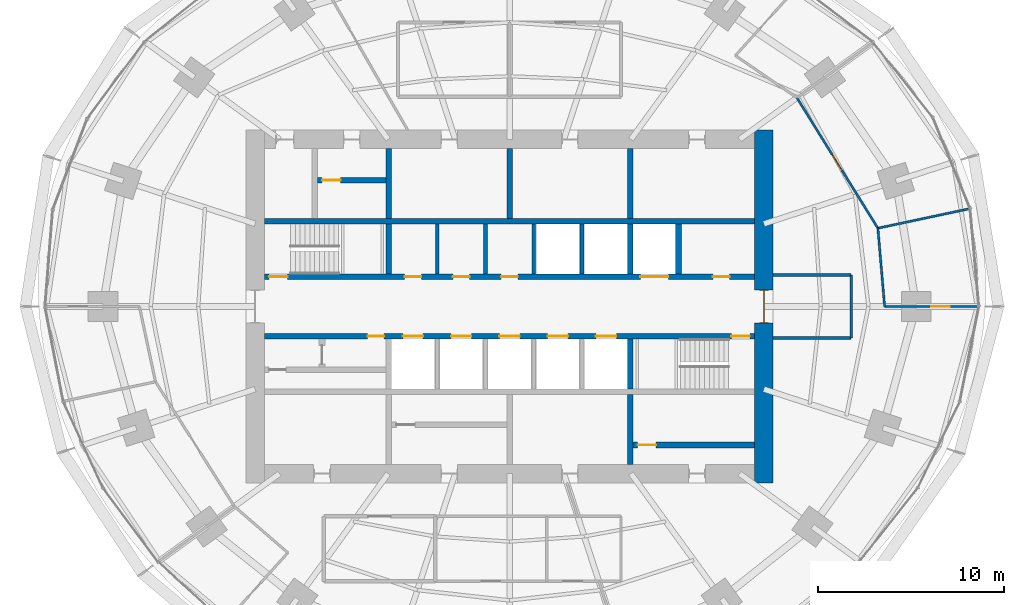
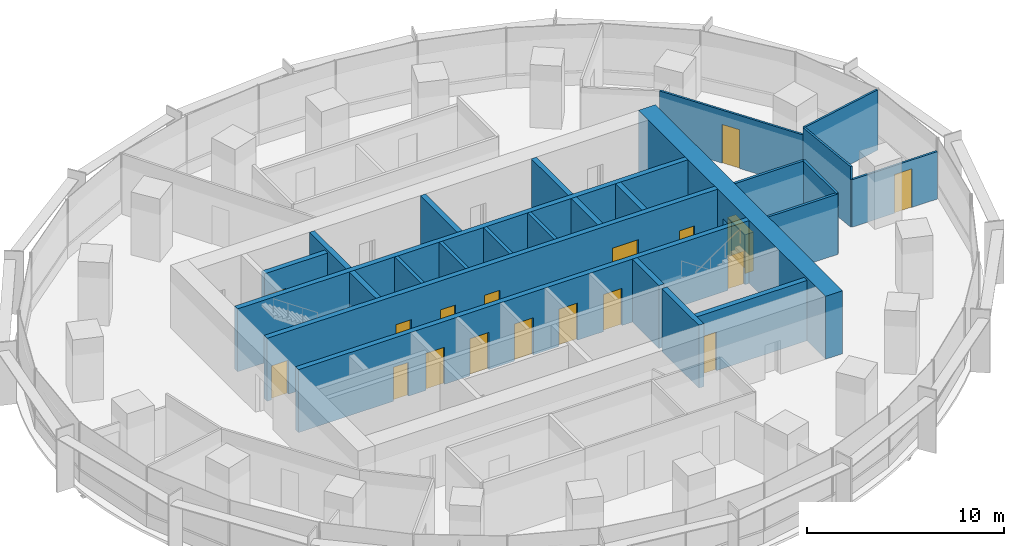
# One storey, part 11 of 14: 25 walls, 18 doors, 18 openings.
"""IFC4 building model written with IfcOpenShell, lengths in metres."""

from ifc_helpers import new_model, si_unit, direction, frame, frame_2d, origin, place, context, subcontext, project, spatial, rectangle, extrude, material, layer, layer_set, type_object, element, fill, save


model = new_model("IFC4")

# Units and contexts
model_context = context("Model", 3, precision=1e-05, world=origin(), true_north=direction((0.0, 1.0)))
body_context = subcontext(model_context, "Body", "Model", "MODEL_VIEW")
ifc_project = project(units=[si_unit("LENGTHUNIT", "METRE"), si_unit("AREAUNIT", "SQUARE_METRE"), si_unit("VOLUMEUNIT", "CUBIC_METRE"), si_unit("PLANEANGLEUNIT", "RADIAN"), si_unit("MASSUNIT", "GRAM", prefix="KILO")], contexts=[model_context])

# Site, building, storey
site_placement = place(None, origin())
site = spatial("IfcSite", under=ifc_project, at=site_placement, CompositionType="ELEMENT")
building_placement = place(site_placement, origin())
building = spatial("IfcBuilding", under=site, at=building_placement, Name="Marramba Exchange Tower", CompositionType="ELEMENT")
storey_placement = place(building_placement, frame((0.0, 0.0, 104.10009765625)))
storey = spatial("IfcBuildingStorey", under=building, at=storey_placement, Name="L24", CompositionType="ELEMENT", Elevation=104.10009765625)

# Walls
ifc_material_1 = material(Name="Concrete N50", Category="concrete")
ifc_layer_1 = layer(ifc_material_1, 0.199951171875)
ifc_layer_set_1 = layer_set([ifc_layer_1], Name="Core shaft wall 200")
wall_type_1 = type_object("IfcWallType", Name="Core shaft wall 200", PredefinedType="SHEAR", material=ifc_layer_set_1)
for number, where, z_axis, x_axis, name in (
    (1, (-3.89990234375, 1.75, 0.0), (0.0, 0.0, 1.0), (0.0, 1.0, 0.0), "Core wall SHN1 L24"),
    (2, (-1.300048828125, 1.75, 0.0), (0.0, 0.0, 1.0), (0.0, 1.0, 0.0), "Core wall SHN2 L24"),
    (3, (1.300048828125, 1.75, 0.0), (0.0, 0.0, 1.0), (0.0, 1.0, 0.0), "Core wall SHN3 L24"),
    (4, (3.89990234375, 1.75, 0.0), (0.0, 0.0, 1.0), (0.0, 1.0, 0.0), "Core wall SHN4 L24"),
):
    element("IfcWall", number, at=place(storey_placement, frame(where, z_axis=z_axis, x_axis=x_axis)), inside=storey, type_object=wall_type_1, Name=name, PredefinedType="SHEAR", context=body_context, shape_type="SweptSolid", body=[
        extrude(rectangle(XDim=2.699951171875, YDim=0.199951171875, at=frame_2d((1.35009765625, 0.0))), origin(), (0.0, 0.0, 1.0), 3.89990234375),
    ])

# Wall, opening, door
ifc_layer_2 = layer(ifc_material_1, 1.0)
ifc_layer_set_2 = layer_set([ifc_layer_2], Name="Core wall 1000")
wall_type_2 = type_object("IfcWallType", Name="Core wall 1000", PredefinedType="SHEAR", material=ifc_layer_set_2)
wall_1_placement = place(storey_placement, frame((13.699951171875, -9.5, 0.0), z_axis=(0.0, 0.0, 1.0), x_axis=(0.0, 1.0, 0.0)))
wall_1 = element("IfcWall", 5, at=wall_1_placement, inside=storey, type_object=wall_type_2, Name="Core wall E L24", PredefinedType="SHEAR", context=body_context, shape_type="SweptSolid", body=[
    extrude(rectangle(XDim=19.0, YDim=1.0, at=frame_2d((9.5, 0.0))), origin(), (0.0, 0.0, 1.0), 3.89990234375),
])
opening_1_placement = place(wall_1_placement, frame((8.60009765625, 0.0, 0.0)))
opening_1 = element("IfcOpeningElement", 6, at=opening_1_placement, cuts=wall_1, Name="Opening D1", PredefinedType="OPENING", context=body_context, shape_type="SweptSolid", body=[
    extrude(rectangle(XDim=1.800048828125, YDim=2.39990234375, at=frame_2d((0.89990234375, 1.199951171875))), frame((0.0, 0.510009765625, 0.0), z_axis=(0.0, -1.0, 0.0), x_axis=(1.0, 0.0, 0.0)), (0.0, 0.0, 1.0), 1.02001953125),
])
ifc_material_2 = material(Name="Steel-framed door", Category="steel")
door_type_1 = type_object("IfcDoorType", Name="Lobby exit door 1800x2400", OperationType="DOUBLE_DOOR_SINGLE_SWING", PredefinedType="DOOR", material=ifc_material_2)
door_1_placement = place(opening_1_placement, frame((1.800048828125, 0.0, 0.0), z_axis=(0.0, 0.0, 1.0), x_axis=(-1.0, 0.0, 0.0)))
door_1 = element("IfcDoor", 7, at=door_1_placement, inside=storey, type_object=door_type_1, Name="D1 lobby exit east L24", OperationType="DOUBLE_DOOR_SINGLE_SWING", OverallHeight=2.39990234375, OverallWidth=1.800048828125, PredefinedType="DOOR", context=body_context, shape_type="SweptSolid", body=[
    extrude(rectangle(XDim=1.719970703125, YDim=2.35986328125, at=frame_2d((0.900146484375, 1.179931640625))), frame((0.0, 0.025146484375, 0.0), z_axis=(0.0, -1.0, 0.0), x_axis=(1.0, 0.0, 0.0)), (0.0, 0.0, 1.0), 0.050048828125),
    extrude(rectangle(XDim=0.04, YDim=2.39990234375, at=frame_2d((1.780029296875, 1.199951171875))), frame((0.0, 0.25, 0.0), z_axis=(0.0, -1.0, 0.0), x_axis=(1.0, 0.0, 0.0)), (0.0, 0.0, 1.0), 0.5),
    extrude(rectangle(XDim=0.04, YDim=2.39990234375, at=frame_2d((0.02001953125, 1.199951171875))), frame((0.0, 0.25, 0.0), z_axis=(0.0, -1.0, 0.0), x_axis=(1.0, 0.0, 0.0)), (0.0, 0.0, 1.0), 0.5),
    extrude(rectangle(XDim=1.719970703125, YDim=0.04, at=frame_2d((0.900146484375, 2.3798828125))), frame((0.0, 0.25, 0.0), z_axis=(0.0, -1.0, 0.0), x_axis=(1.0, 0.0, 0.0)), (0.0, 0.0, 1.0), 0.5),
])
fill(opening_1, door_1)

# Wall, openings, doors
ifc_layer_3 = layer(ifc_material_1, 0.300048828125)
ifc_layer_set_3 = layer_set([ifc_layer_3], Name="Core wall 300")
wall_type_3 = type_object("IfcWallType", Name="Core wall 300", PredefinedType="SHEAR", material=ifc_layer_set_3)
wall_2_placement = place(storey_placement, frame((-13.199951171875, 1.60009765625, 0.0), z_axis=(0.0, 0.0, 1.0), x_axis=(1.0, 0.0, 0.0)))
wall_2 = element("IfcWall", 8, at=wall_2_placement, inside=storey, type_object=wall_type_3, Name="Core wall LN L24", PredefinedType="SHEAR", context=body_context, shape_type="SweptSolid", body=[
    extrude(rectangle(XDim=26.39990234375, YDim=0.300048828125, at=frame_2d((13.199951171875, 0.0))), origin(), (0.0, 0.0, 1.0), 3.89990234375),
])
opening_2_placement = place(wall_2_placement, frame((0.25, 0.0, 0.0)))
opening_2 = element("IfcOpeningElement", 9, at=opening_2_placement, cuts=wall_2, Name="Opening D2", PredefinedType="OPENING", context=body_context, shape_type="SweptSolid", body=[
    extrude(rectangle(XDim=1.0, YDim=2.10009765625, at=frame_2d((0.5, 1.050048828125))), frame((0.0, 0.159912109375, 0.0), z_axis=(0.0, -1.0, 0.0), x_axis=(1.0, 0.0, 0.0)), (0.0, 0.0, 1.0), 0.320068359375),
])
opening_3_placement = place(wall_2_placement, frame((20.25, 0.0, 0.0)))
opening_3 = element("IfcOpeningElement", 10, at=opening_3_placement, cuts=wall_2, Name="Opening LD3", PredefinedType="OPENING", context=body_context, shape_type="SweptSolid", body=[
    extrude(rectangle(XDim=1.5, YDim=2.39990234375, at=frame_2d((0.75, 1.199951171875))), frame((0.0, 0.159912109375, 0.0), z_axis=(0.0, -1.0, 0.0), x_axis=(1.0, 0.0, 0.0)), (0.0, 0.0, 1.0), 0.320068359375),
])
opening_4_placement = place(wall_2_placement, frame((7.550048828125, 0.0, 0.0)))
opening_4 = element("IfcOpeningElement", 11, at=opening_4_placement, cuts=wall_2, Name="Opening D5", PredefinedType="OPENING", context=body_context, shape_type="SweptSolid", body=[
    extrude(rectangle(XDim=0.89990234375, YDim=2.10009765625, at=frame_2d((0.449951171875, 1.050048828125))), frame((0.0, 0.159912109375, 0.0), z_axis=(0.0, -1.0, 0.0), x_axis=(1.0, 0.0, 0.0)), (0.0, 0.0, 1.0), 0.320068359375),
])
opening_5_placement = place(wall_2_placement, frame((10.14990234375, 0.0, 0.0)))
opening_5 = element("IfcOpeningElement", 12, at=opening_5_placement, cuts=wall_2, Name="Opening D5", PredefinedType="OPENING", context=body_context, shape_type="SweptSolid", body=[
    extrude(rectangle(XDim=0.89990234375, YDim=2.10009765625, at=frame_2d((0.449951171875, 1.050048828125))), frame((0.0, 0.159912109375, 0.0), z_axis=(0.0, -1.0, 0.0), x_axis=(1.0, 0.0, 0.0)), (0.0, 0.0, 1.0), 0.320068359375),
])
opening_6_placement = place(wall_2_placement, frame((12.75, 0.0, 0.0)))
opening_6 = element("IfcOpeningElement", 13, at=opening_6_placement, cuts=wall_2, Name="Opening D5", PredefinedType="OPENING", context=body_context, shape_type="SweptSolid", body=[
    extrude(rectangle(XDim=0.89990234375, YDim=2.10009765625, at=frame_2d((0.449951171875, 1.050048828125))), frame((0.0, 0.159912109375, 0.0), z_axis=(0.0, -1.0, 0.0), x_axis=(1.0, 0.0, 0.0)), (0.0, 0.0, 1.0), 0.320068359375),
])
opening_7_placement = place(wall_2_placement, frame((24.14990234375, 0.0, 0.0)))
opening_7 = element("IfcOpeningElement", 14, at=opening_7_placement, cuts=wall_2, Name="Opening D5", PredefinedType="OPENING", context=body_context, shape_type="SweptSolid", body=[
    extrude(rectangle(XDim=0.89990234375, YDim=2.10009765625, at=frame_2d((0.449951171875, 1.050048828125))), frame((0.0, 0.159912109375, 0.0), z_axis=(0.0, -1.0, 0.0), x_axis=(1.0, 0.0, 0.0)), (0.0, 0.0, 1.0), 0.320068359375),
])
door_type_2 = type_object("IfcDoorType", Name="Goods lift landing door 1500x2400", OperationType="SLIDING_TO_LEFT", PredefinedType="DOOR", material=ifc_material_2)
door_2_placement = place(opening_3_placement, origin())
door_2 = element("IfcDoor", 15, at=door_2_placement, inside=storey, type_object=door_type_2, Name="GL1 landing door L24", OperationType="SLIDING_TO_LEFT", OverallHeight=2.39990234375, OverallWidth=1.5, PredefinedType="DOOR", context=body_context, shape_type="SweptSolid", body=[
    extrude(rectangle(XDim=1.5, YDim=2.39990234375, at=frame_2d((0.75, 1.199951171875))), frame((0.0, 0.02490234375, 0.0), z_axis=(0.0, -1.0, 0.0), x_axis=(1.0, 0.0, 0.0)), (0.0, 0.0, 1.0), 0.050048828125),
])
fill(opening_3, door_2)
door_type_3 = type_object("IfcDoorType", Name="Service door 900x2100", OperationType="SINGLE_SWING_LEFT", PredefinedType="DOOR", material=ifc_material_2)
door_3_placement = place(opening_4_placement, origin())
door_3 = element("IfcDoor", 16, at=door_3_placement, inside=storey, type_object=door_type_3, Name="D5 parcel room L24", OperationType="SINGLE_SWING_RIGHT", OverallHeight=2.10009765625, OverallWidth=0.89990234375, PredefinedType="DOOR", context=body_context, shape_type="SweptSolid", body=[
    extrude(rectangle(XDim=0.89990234375, YDim=2.10009765625, at=frame_2d((0.449951171875, 1.050048828125))), frame((0.0, 0.02490234375, 0.0), z_axis=(0.0, -1.0, 0.0), x_axis=(1.0, 0.0, 0.0)), (0.0, 0.0, 1.0), 0.050048828125),
])
fill(opening_4, door_3)
door_4_placement = place(opening_5_placement, origin())
door_4 = element("IfcDoor", 17, at=door_4_placement, inside=storey, type_object=door_type_3, Name="D5 stationery store L24", OperationType="SINGLE_SWING_RIGHT", OverallHeight=2.10009765625, OverallWidth=0.89990234375, PredefinedType="DOOR", context=body_context, shape_type="SweptSolid", body=[
    extrude(rectangle(XDim=0.89990234375, YDim=2.10009765625, at=frame_2d((0.449951171875, 1.050048828125))), frame((0.0, 0.02490234375, 0.0), z_axis=(0.0, -1.0, 0.0), x_axis=(1.0, 0.0, 0.0)), (0.0, 0.0, 1.0), 0.050048828125),
])
fill(opening_5, door_4)
door_5_placement = place(opening_6_placement, origin())
door_5 = element("IfcDoor", 18, at=door_5_placement, inside=storey, type_object=door_type_3, Name="D5 switch room L24", OperationType="SINGLE_SWING_RIGHT", OverallHeight=2.10009765625, OverallWidth=0.89990234375, PredefinedType="DOOR", context=body_context, shape_type="SweptSolid", body=[
    extrude(rectangle(XDim=0.89990234375, YDim=2.10009765625, at=frame_2d((0.449951171875, 1.050048828125))), frame((0.0, 0.02490234375, 0.0), z_axis=(0.0, -1.0, 0.0), x_axis=(1.0, 0.0, 0.0)), (0.0, 0.0, 1.0), 0.050048828125),
])
fill(opening_6, door_5)
door_6_placement = place(opening_7_placement, origin())
door_6 = element("IfcDoor", 19, at=door_6_placement, inside=storey, type_object=door_type_3, Name="D5 riser L24", OperationType="SINGLE_SWING_RIGHT", OverallHeight=2.10009765625, OverallWidth=0.89990234375, PredefinedType="DOOR", context=body_context, shape_type="SweptSolid", body=[
    extrude(rectangle(XDim=0.89990234375, YDim=2.10009765625, at=frame_2d((0.449951171875, 1.050048828125))), frame((0.0, 0.02490234375, 0.0), z_axis=(0.0, -1.0, 0.0), x_axis=(1.0, 0.0, 0.0)), (0.0, 0.0, 1.0), 0.050048828125),
])
fill(opening_7, door_6)
door_type_4 = type_object("IfcDoorType", Name="Stair door 1000x2100", OperationType="SINGLE_SWING_LEFT", PredefinedType="DOOR", material=ifc_material_2)
door_7_placement = place(opening_2_placement, origin())
door_7 = element("IfcDoor", 20, at=door_7_placement, inside=storey, type_object=door_type_4, Name="D2 stair ST1 L24", OperationType="SINGLE_SWING_LEFT", OverallHeight=2.10009765625, OverallWidth=1.0, PredefinedType="DOOR", context=body_context, shape_type="SweptSolid", body=[
    extrude(rectangle(XDim=1.0, YDim=2.10009765625, at=frame_2d((0.5, 1.050048828125))), frame((0.0, 0.02490234375, 0.0), z_axis=(0.0, -1.0, 0.0), x_axis=(1.0, 0.0, 0.0)), (0.0, 0.0, 1.0), 0.050048828125),
])
fill(opening_2, door_7)

wall_3_placement = place(storey_placement, frame((-13.199951171875, -1.60009765625, 0.0), z_axis=(0.0, 0.0, 1.0), x_axis=(1.0, 0.0, 0.0)))
wall_3 = element("IfcWall", 21, at=wall_3_placement, inside=storey, type_object=wall_type_3, Name="Core wall LS L24", PredefinedType="SHEAR", context=body_context, shape_type="SweptSolid", body=[
    extrude(rectangle(XDim=26.39990234375, YDim=0.300048828125, at=frame_2d((13.199951171875, 0.0))), origin(), (0.0, 0.0, 1.0), 3.89990234375),
])
opening_8_placement = place(wall_3_placement, frame((25.14990234375, 0.0, 0.0)))
opening_8 = element("IfcOpeningElement", 22, at=opening_8_placement, cuts=wall_3, Name="Opening D2", PredefinedType="OPENING", context=body_context, shape_type="SweptSolid", body=[
    extrude(rectangle(XDim=1.0, YDim=2.10009765625, at=frame_2d((0.5, 1.050048828125))), frame((0.0, 0.159912109375, 0.0), z_axis=(0.0, -1.0, 0.0), x_axis=(1.0, 0.0, 0.0)), (0.0, 0.0, 1.0), 0.320068359375),
])
opening_9_placement = place(wall_3_placement, frame((7.449951171875, 0.0, 0.0)))
opening_9 = element("IfcOpeningElement", 23, at=opening_9_placement, cuts=wall_3, Name="Opening LD1", PredefinedType="OPENING", context=body_context, shape_type="SweptSolid", body=[
    extrude(rectangle(XDim=1.10009765625, YDim=2.300048828125, at=frame_2d((0.550048828125, 1.14990234375))), frame((0.0, 0.159912109375, 0.0), z_axis=(0.0, -1.0, 0.0), x_axis=(1.0, 0.0, 0.0)), (0.0, 0.0, 1.0), 0.320068359375),
])
opening_10_placement = place(wall_3_placement, frame((10.050048828125, 0.0, 0.0)))
opening_10 = element("IfcOpeningElement", 24, at=opening_10_placement, cuts=wall_3, Name="Opening LD1", PredefinedType="OPENING", context=body_context, shape_type="SweptSolid", body=[
    extrude(rectangle(XDim=1.10009765625, YDim=2.300048828125, at=frame_2d((0.550048828125, 1.14990234375))), frame((0.0, 0.159912109375, 0.0), z_axis=(0.0, -1.0, 0.0), x_axis=(1.0, 0.0, 0.0)), (0.0, 0.0, 1.0), 0.320068359375),
])
opening_11_placement = place(wall_3_placement, frame((12.64990234375, 0.0, 0.0)))
opening_11 = element("IfcOpeningElement", 25, at=opening_11_placement, cuts=wall_3, Name="Opening LD1", PredefinedType="OPENING", context=body_context, shape_type="SweptSolid", body=[
    extrude(rectangle(XDim=1.10009765625, YDim=2.300048828125, at=frame_2d((0.550048828125, 1.14990234375))), frame((0.0, 0.159912109375, 0.0), z_axis=(0.0, -1.0, 0.0), x_axis=(1.0, 0.0, 0.0)), (0.0, 0.0, 1.0), 0.320068359375),
])
opening_12_placement = place(wall_3_placement, frame((15.25, 0.0, 0.0)))
opening_12 = element("IfcOpeningElement", 26, at=opening_12_placement, cuts=wall_3, Name="Opening LD2", PredefinedType="OPENING", context=body_context, shape_type="SweptSolid", body=[
    extrude(rectangle(XDim=1.10009765625, YDim=2.300048828125, at=frame_2d((0.550048828125, 1.14990234375))), frame((0.0, 0.159912109375, 0.0), z_axis=(0.0, -1.0, 0.0), x_axis=(1.0, 0.0, 0.0)), (0.0, 0.0, 1.0), 0.320068359375),
])
opening_13_placement = place(wall_3_placement, frame((17.85009765625, 0.0, 0.0)))
opening_13 = element("IfcOpeningElement", 27, at=opening_13_placement, cuts=wall_3, Name="Opening LD2", PredefinedType="OPENING", context=body_context, shape_type="SweptSolid", body=[
    extrude(rectangle(XDim=1.10009765625, YDim=2.300048828125, at=frame_2d((0.550048828125, 1.14990234375))), frame((0.0, 0.159912109375, 0.0), z_axis=(0.0, -1.0, 0.0), x_axis=(1.0, 0.0, 0.0)), (0.0, 0.0, 1.0), 0.320068359375),
])
opening_14_placement = place(wall_3_placement, frame((5.550048828125, 0.0, 0.0)))
opening_14 = element("IfcOpeningElement", 28, at=opening_14_placement, cuts=wall_3, Name="Opening D5", PredefinedType="OPENING", context=body_context, shape_type="SweptSolid", body=[
    extrude(rectangle(XDim=0.89990234375, YDim=2.10009765625, at=frame_2d((0.449951171875, 1.050048828125))), frame((0.0, 0.159912109375, 0.0), z_axis=(0.0, -1.0, 0.0), x_axis=(1.0, 0.0, 0.0)), (0.0, 0.0, 1.0), 0.320068359375),
])
door_type_5 = type_object("IfcDoorType", Name="Emergency lift landing door 1100x2300", OperationType="SLIDING_TO_LEFT", PredefinedType="DOOR", material=ifc_material_2)
door_8_placement = place(opening_12_placement, frame((1.10009765625, 0.0, 0.0), z_axis=(0.0, 0.0, 1.0), x_axis=(-1.0, 0.0, 0.0)))
door_8 = element("IfcDoor", 29, at=door_8_placement, inside=storey, type_object=door_type_5, Name="FL1 landing door L24", OperationType="SLIDING_TO_RIGHT", OverallHeight=2.300048828125, OverallWidth=1.10009765625, PredefinedType="DOOR", context=body_context, shape_type="SweptSolid", body=[
    extrude(rectangle(XDim=1.10009765625, YDim=2.300048828125, at=frame_2d((0.550048828125, 1.14990234375))), frame((0.0, 0.025146484375, 0.0), z_axis=(0.0, -1.0, 0.0), x_axis=(1.0, 0.0, 0.0)), (0.0, 0.0, 1.0), 0.050048828125),
])
fill(opening_12, door_8)
door_9_placement = place(opening_13_placement, frame((1.10009765625, 0.0, 0.0), z_axis=(0.0, 0.0, 1.0), x_axis=(-1.0, 0.0, 0.0)))
door_9 = element("IfcDoor", 30, at=door_9_placement, inside=storey, type_object=door_type_5, Name="FL2 landing door L24", OperationType="SLIDING_TO_LEFT", OverallHeight=2.300048828125, OverallWidth=1.10009765625, PredefinedType="DOOR", context=body_context, shape_type="SweptSolid", body=[
    extrude(rectangle(XDim=1.10009765625, YDim=2.300048828125, at=frame_2d((0.550048828125, 1.14990234375))), frame((0.0, 0.025146484375, 0.0), z_axis=(0.0, -1.0, 0.0), x_axis=(1.0, 0.0, 0.0)), (0.0, 0.0, 1.0), 0.050048828125),
])
fill(opening_13, door_9)
door_type_6 = type_object("IfcDoorType", Name="Lift landing door 1100x2300", OperationType="SLIDING_TO_LEFT", PredefinedType="DOOR", material=ifc_material_2)
door_10_placement = place(opening_9_placement, frame((1.10009765625, 0.0, 0.0), z_axis=(0.0, 0.0, 1.0), x_axis=(-1.0, 0.0, 0.0)))
door_10 = element("IfcDoor", 31, at=door_10_placement, inside=storey, type_object=door_type_6, Name="LB1 landing door L24", OperationType="SLIDING_TO_LEFT", OverallHeight=2.300048828125, OverallWidth=1.10009765625, PredefinedType="DOOR", context=body_context, shape_type="SweptSolid", body=[
    extrude(rectangle(XDim=1.10009765625, YDim=2.300048828125, at=frame_2d((0.550048828125, 1.14990234375))), frame((0.0, 0.025146484375, 0.0), z_axis=(0.0, -1.0, 0.0), x_axis=(1.0, 0.0, 0.0)), (0.0, 0.0, 1.0), 0.050048828125),
])
fill(opening_9, door_10)
door_11_placement = place(opening_10_placement, frame((1.10009765625, 0.0, 0.0), z_axis=(0.0, 0.0, 1.0), x_axis=(-1.0, 0.0, 0.0)))
door_11 = element("IfcDoor", 32, at=door_11_placement, inside=storey, type_object=door_type_6, Name="LB2 landing door L24", OperationType="SLIDING_TO_RIGHT", OverallHeight=2.300048828125, OverallWidth=1.10009765625, PredefinedType="DOOR", context=body_context, shape_type="SweptSolid", body=[
    extrude(rectangle(XDim=1.10009765625, YDim=2.300048828125, at=frame_2d((0.550048828125, 1.14990234375))), frame((0.0, 0.025146484375, 0.0), z_axis=(0.0, -1.0, 0.0), x_axis=(1.0, 0.0, 0.0)), (0.0, 0.0, 1.0), 0.050048828125),
])
fill(opening_10, door_11)
door_12_placement = place(opening_11_placement, frame((1.10009765625, 0.0, 0.0), z_axis=(0.0, 0.0, 1.0), x_axis=(-1.0, 0.0, 0.0)))
door_12 = element("IfcDoor", 33, at=door_12_placement, inside=storey, type_object=door_type_6, Name="LB3 landing door L24", OperationType="SLIDING_TO_RIGHT", OverallHeight=2.300048828125, OverallWidth=1.10009765625, PredefinedType="DOOR", context=body_context, shape_type="SweptSolid", body=[
    extrude(rectangle(XDim=1.10009765625, YDim=2.300048828125, at=frame_2d((0.550048828125, 1.14990234375))), frame((0.0, 0.025146484375, 0.0), z_axis=(0.0, -1.0, 0.0), x_axis=(1.0, 0.0, 0.0)), (0.0, 0.0, 1.0), 0.050048828125),
])
fill(opening_11, door_12)
door_13_placement = place(opening_14_placement, frame((0.89990234375, 0.0, 0.0), z_axis=(0.0, 0.0, 1.0), x_axis=(-1.0, 0.0, 0.0)))
door_13 = element("IfcDoor", 34, at=door_13_placement, inside=storey, type_object=door_type_3, Name="D5 electrical riser L24", OperationType="SINGLE_SWING_LEFT", OverallHeight=2.10009765625, OverallWidth=0.89990234375, PredefinedType="DOOR", context=body_context, shape_type="SweptSolid", body=[
    extrude(rectangle(XDim=0.89990234375, YDim=2.10009765625, at=frame_2d((0.449951171875, 1.050048828125))), frame((0.0, 0.025146484375, 0.0), z_axis=(0.0, -1.0, 0.0), x_axis=(1.0, 0.0, 0.0)), (0.0, 0.0, 1.0), 0.050048828125),
])
fill(opening_14, door_13)
door_14_placement = place(opening_8_placement, frame((1.0, 0.0, 0.0), z_axis=(0.0, 0.0, 1.0), x_axis=(-1.0, 0.0, 0.0)))
door_14 = element("IfcDoor", 35, at=door_14_placement, inside=storey, type_object=door_type_4, Name="D2 stair ST2 L24", OperationType="SINGLE_SWING_LEFT", OverallHeight=2.10009765625, OverallWidth=1.0, PredefinedType="DOOR", context=body_context, shape_type="SweptSolid", body=[
    extrude(rectangle(XDim=1.0, YDim=2.10009765625, at=frame_2d((0.5, 1.050048828125))), frame((0.0, 0.025146484375, 0.0), z_axis=(0.0, -1.0, 0.0), x_axis=(1.0, 0.0, 0.0)), (0.0, 0.0, 1.0), 0.050048828125),
])
fill(opening_8, door_14)

# Walls
wall_4_placement = place(storey_placement, frame((-13.199951171875, 4.60009765625, 0.0), z_axis=(0.0, 0.0, 1.0), x_axis=(1.0, 0.0, 0.0)))
element("IfcWall", 36, at=wall_4_placement, inside=storey, type_object=wall_type_3, Name="Core wall BN L24", PredefinedType="SHEAR", context=body_context, shape_type="SweptSolid", body=[
    extrude(rectangle(XDim=26.39990234375, YDim=0.300048828125, at=frame_2d((13.199951171875, 0.0))), origin(), (0.0, 0.0, 1.0), 3.89990234375),
])
wall_5_placement = place(storey_placement, frame((-6.5, 1.75, 0.0), z_axis=(0.0, 0.0, 1.0), x_axis=(0.0, 1.0, 0.0)))
element("IfcWall", 37, at=wall_5_placement, inside=storey, type_object=wall_type_3, Name="Core wall X0Na L24", PredefinedType="SHEAR", context=body_context, shape_type="SweptSolid", body=[
    extrude(rectangle(XDim=2.699951171875, YDim=0.300048828125, at=frame_2d((1.35009765625, 0.0))), origin(), (0.0, 0.0, 1.0), 3.89990234375),
])
wall_6_placement = place(storey_placement, frame((-6.5, 4.75, 0.0), z_axis=(0.0, 0.0, 1.0), x_axis=(0.0, 1.0, 0.0)))
element("IfcWall", 38, at=wall_6_placement, inside=storey, type_object=wall_type_3, Name="Core wall X0Nb L24", PredefinedType="SHEAR", context=body_context, shape_type="SweptSolid", body=[
    extrude(rectangle(XDim=3.75, YDim=0.300048828125, at=frame_2d((1.875, 0.0))), origin(), (0.0, 0.0, 1.0), 3.89990234375),
])
wall_7_placement = place(storey_placement, frame((6.5, 1.75, 0.0), z_axis=(0.0, 0.0, 1.0), x_axis=(0.0, 1.0, 0.0)))
element("IfcWall", 39, at=wall_7_placement, inside=storey, type_object=wall_type_3, Name="Core wall X1Na L24", PredefinedType="SHEAR", context=body_context, shape_type="SweptSolid", body=[
    extrude(rectangle(XDim=2.699951171875, YDim=0.300048828125, at=frame_2d((1.35009765625, 0.0))), origin(), (0.0, 0.0, 1.0), 3.89990234375),
])
for number, where, z_axis, x_axis, name in (
    (40, (6.5, 4.75, 0.0), (0.0, 0.0, 1.0), (0.0, 1.0, 0.0), "Core wall X1Nb L24"),
    (41, (0.0, 4.75, 0.0), (0.0, 0.0, 1.0), (0.0, 1.0, 0.0), "Core wall MN L24"),
):
    element("IfcWall", number, at=place(storey_placement, frame(where, z_axis=z_axis, x_axis=x_axis)), inside=storey, type_object=wall_type_3, Name=name, PredefinedType="SHEAR", context=body_context, shape_type="SweptSolid", body=[
        extrude(rectangle(XDim=3.75, YDim=0.300048828125, at=frame_2d((1.875, 0.0))), origin(), (0.0, 0.0, 1.0), 3.89990234375),
    ])
wall_8_placement = place(storey_placement, frame((6.5, -1.75, 0.0), z_axis=(0.0, 0.0, 1.0), x_axis=(0.0, -1.0, 0.0)))
element("IfcWall", 42, at=wall_8_placement, inside=storey, type_object=wall_type_3, Name="Core wall X1Sa L24", PredefinedType="SHEAR", context=body_context, shape_type="SweptSolid", body=[
    extrude(rectangle(XDim=2.699951171875, YDim=0.300048828125, at=frame_2d((1.35009765625, 0.0))), origin(), (0.0, 0.0, 1.0), 3.89990234375),
])
wall_9_placement = place(storey_placement, frame((6.5, -4.75, 0.0), z_axis=(0.0, 0.0, 1.0), x_axis=(0.0, -1.0, 0.0)))
element("IfcWall", 43, at=wall_9_placement, inside=storey, type_object=wall_type_3, Name="Core wall X1Sb L24", PredefinedType="SHEAR", context=body_context, shape_type="SweptSolid", body=[
    extrude(rectangle(XDim=3.75, YDim=0.300048828125, at=frame_2d((1.875, 0.0))), origin(), (0.0, 0.0, 1.0), 3.89990234375),
])
wall_10_placement = place(storey_placement, frame((9.10009765625, 1.75, 0.0), z_axis=(0.0, 0.0, 1.0), x_axis=(0.0, 1.0, 0.0)))
element("IfcWall", 44, at=wall_10_placement, inside=storey, type_object=wall_type_3, Name="Core wall ED L24", PredefinedType="SHEAR", context=body_context, shape_type="SweptSolid", body=[
    extrude(rectangle(XDim=2.699951171875, YDim=0.300048828125, at=frame_2d((1.35009765625, 0.0))), origin(), (0.0, 0.0, 1.0), 3.89990234375),
])

# Wall, opening, door
ifc_material_3 = material(Name="Plasterboard on steel studs", Category="steel")
ifc_layer_4 = layer(ifc_material_3, 0.1201171875)
ifc_layer_set_4 = layer_set([ifc_layer_4], Name="Partition 120")
wall_type_4 = type_object("IfcWallType", Name="Partition 120", PredefinedType="PARTITIONING", material=ifc_layer_set_4)
wall_11_placement = place(storey_placement, frame((20.201904296875, 0.0, 0.0), z_axis=(0.0, 0.0, 1.0), x_axis=(1.0, 0.0, 0.0)))
wall_11 = element("IfcWall", 45, at=wall_11_placement, inside=storey, type_object=wall_type_4, Name="Partition L24 19", PredefinedType="PARTITIONING", context=body_context, shape_type="SweptSolid", body=[
    extrude(rectangle(XDim=5.0, YDim=0.1201171875, at=frame_2d((2.5, 0.0))), origin(), (0.0, 0.0, 1.0), 2.93994140625),
])
opening_15_placement = place(wall_11_placement, frame((2.5, 0.0, 0.0)))
opening_15 = element("IfcOpeningElement", 46, at=opening_15_placement, cuts=wall_11, Name="Opening D9", PredefinedType="OPENING", context=body_context, shape_type="SweptSolid", body=[
    extrude(rectangle(XDim=1.0, YDim=2.39990234375, at=frame_2d((0.5, 1.199951171875))), frame((0.0, 0.070068359375, 0.0), z_axis=(0.0, -1.0, 0.0), x_axis=(1.0, 0.0, 0.0)), (0.0, 0.0, 1.0), 0.14013671875),
])
ifc_material_4 = material(Name="Timber door", Category="wood")
door_type_7 = type_object("IfcDoorType", Name="Room door 1000x2400", OperationType="SINGLE_SWING_LEFT", PredefinedType="DOOR", material=ifc_material_4)
door_15_placement = place(opening_15_placement, origin())
door_15 = element("IfcDoor", 47, at=door_15_placement, inside=storey, type_object=door_type_7, Name="D9 Compliance Office 2 L24", OperationType="SINGLE_SWING_RIGHT", OverallHeight=2.39990234375, OverallWidth=1.0, PredefinedType="DOOR", context=body_context, shape_type="SweptSolid", body=[
    extrude(rectangle(XDim=1.0, YDim=2.39990234375, at=frame_2d((0.5, 1.199951171875))), frame((0.0, 0.02490234375, 0.0), z_axis=(0.0, -1.0, 0.0), x_axis=(1.0, 0.0, 0.0)), (0.0, 0.0, 1.0), 0.050048828125),
])
fill(opening_15, door_15)

# Walls
wall_12_placement = place(storey_placement, frame((19.839599609375, 4.217041015625, 0.0), z_axis=(0.0, 0.0, 1.0), x_axis=(0.085599097882, -0.996329661529, 0.0)))
element("IfcWall", 48, at=wall_12_placement, inside=storey, type_object=wall_type_4, Name="Partition L24 21", PredefinedType="PARTITIONING", context=body_context, shape_type="SweptSolid", body=[
    extrude(rectangle(XDim=4.232666015625, YDim=0.1201171875, at=frame_2d((2.1162109375, 0.0))), origin(), (0.0, 0.0, 1.0), 3.739990234375),
])
wall_13_placement = place(storey_placement, frame((19.839599609375, 4.217041015625, 0.0), z_axis=(0.0, 0.0, 1.0), x_axis=(0.978149046495, 0.207904888932, 0.0)))
element("IfcWall", 49, at=wall_13_placement, inside=storey, type_object=wall_type_4, Name="Partition L24 22", PredefinedType="PARTITIONING", context=body_context, shape_type="SweptSolid", body=[
    extrude(rectangle(XDim=5.000244140625, YDim=0.1201171875, at=frame_2d((2.5, 0.0))), origin(), (0.0, 0.0, 1.0), 3.739990234375),
])

# Wall, opening, door
wall_14_placement = place(storey_placement, frame((15.4765625, 11.244384765625, 0.0), z_axis=(0.0, 0.0, 1.0), x_axis=(0.527470861315, -0.849573122494, 0.0)))
wall_14 = element("IfcWall", 50, at=wall_14_placement, inside=storey, type_object=wall_type_4, Name="Partition L24 23", PredefinedType="PARTITIONING", context=body_context, shape_type="SweptSolid", body=[
    extrude(rectangle(XDim=8.271728515625, YDim=0.1201171875, at=frame_2d((4.1357421875, 0.0))), origin(), (0.0, 0.0, 1.0), 3.285888671875),
])
opening_16_placement = place(wall_14_placement, frame((3.611083984375, 0.0, 0.0)))
opening_16 = element("IfcOpeningElement", 51, at=opening_16_placement, cuts=wall_14, Name="Opening D9", PredefinedType="OPENING", context=body_context, shape_type="SweptSolid", body=[
    extrude(rectangle(XDim=1.0, YDim=2.39990234375, at=frame_2d((0.5, 1.199951171875))), frame((0.0, 0.070068359375, 0.0), z_axis=(0.0, -1.0, 0.0), x_axis=(1.0, 0.0, 0.0)), (0.0, 0.0, 1.0), 0.14013671875),
])
door_16_placement = place(opening_16_placement, origin())
door_16 = element("IfcDoor", 52, at=door_16_placement, inside=storey, type_object=door_type_7, Name="D9 Compliance Office 3 L24", OperationType="SINGLE_SWING_LEFT", OverallHeight=2.39990234375, OverallWidth=1.0, PredefinedType="DOOR", context=body_context, shape_type="SweptSolid", body=[
    extrude(rectangle(XDim=1.0, YDim=2.39990234375, at=frame_2d((0.5, 1.199951171875))), frame((0.0, 0.02490234375, 0.0), z_axis=(0.0, -1.0, 0.0), x_axis=(1.0, 0.0, 0.0)), (0.0, 0.0, 1.0), 0.050048828125),
])
fill(opening_16, door_16)

ifc_material_5 = material(Name="Plasterboard on steel studs, insulated, unrated", Category="steel")
ifc_layer_5 = layer(ifc_material_5, 0.300048828125)
ifc_layer_set_5 = layer_set([ifc_layer_5], Name="Store partition 300")
wall_type_5 = type_object("IfcWallType", Name="Store partition 300", PredefinedType="PARTITIONING", material=ifc_layer_set_5)
wall_15_placement = place(storey_placement, frame((-10.35009765625, 6.800048828125, 0.0), z_axis=(0.0, 0.0, 1.0), x_axis=(1.0, 0.0, 0.0)))
wall_15 = element("IfcWall", 53, at=wall_15_placement, inside=storey, type_object=wall_type_5, Name="Store partition L24 cleaner", PredefinedType="PARTITIONING", context=body_context, shape_type="SweptSolid", body=[
    extrude(rectangle(XDim=3.7001953125, YDim=0.300048828125, at=frame_2d((1.85009765625, 0.0))), origin(), (0.0, 0.0, 1.0), 3.739990234375),
])
opening_17_placement = place(wall_15_placement, frame((0.25, 0.0, 0.0)))
opening_17 = element("IfcOpeningElement", 54, at=opening_17_placement, cuts=wall_15, Name="Opening D9", PredefinedType="OPENING", context=body_context, shape_type="SweptSolid", body=[
    extrude(rectangle(XDim=1.0, YDim=2.39990234375, at=frame_2d((0.5, 1.199951171875))), frame((0.0, 0.159912109375, 0.0), z_axis=(0.0, -1.0, 0.0), x_axis=(1.0, 0.0, 0.0)), (0.0, 0.0, 1.0), 0.320068359375),
])
door_17_placement = place(opening_17_placement, origin())
door_17 = element("IfcDoor", 55, at=door_17_placement, inside=storey, type_object=door_type_7, Name="D9 cleaning store L24", OperationType="SINGLE_SWING_LEFT", OverallHeight=2.39990234375, OverallWidth=1.0, PredefinedType="DOOR", context=body_context, shape_type="SweptSolid", body=[
    extrude(rectangle(XDim=1.0, YDim=2.39990234375, at=frame_2d((0.5, 1.199951171875))), frame((0.0, 0.02490234375, 0.0), z_axis=(0.0, -1.0, 0.0), x_axis=(1.0, 0.0, 0.0)), (0.0, 0.0, 1.0), 0.050048828125),
])
fill(opening_17, door_17)

wall_16_placement = place(storey_placement, frame((6.64990234375, -7.4599609375, 0.0), z_axis=(0.0, 0.0, 1.0), x_axis=(1.0, 0.0, 0.0)))
wall_16 = element("IfcWall", 56, at=wall_16_placement, inside=storey, type_object=wall_type_5, Name="Store partition L24 cstore", PredefinedType="PARTITIONING", context=body_context, shape_type="SweptSolid", body=[
    extrude(rectangle(XDim=6.550048828125, YDim=0.300048828125, at=frame_2d((3.27490234375, 0.0))), origin(), (0.0, 0.0, 1.0), 3.739990234375),
])
opening_18_placement = place(wall_16_placement, frame((0.25, 0.0, 0.0)))
opening_18 = element("IfcOpeningElement", 57, at=opening_18_placement, cuts=wall_16, Name="Opening D9", PredefinedType="OPENING", context=body_context, shape_type="SweptSolid", body=[
    extrude(rectangle(XDim=1.0, YDim=2.39990234375, at=frame_2d((0.5, 1.199951171875))), frame((0.0, 0.159912109375, 0.0), z_axis=(0.0, -1.0, 0.0), x_axis=(1.0, 0.0, 0.0)), (0.0, 0.0, 1.0), 0.320068359375),
])
door_18_placement = place(opening_18_placement, frame((1.0, 0.0, 0.0), z_axis=(0.0, 0.0, 1.0), x_axis=(-1.0, 0.0, 0.0)))
door_18 = element("IfcDoor", 58, at=door_18_placement, inside=storey, type_object=door_type_7, Name="D9 general store L24", OperationType="SINGLE_SWING_RIGHT", OverallHeight=2.39990234375, OverallWidth=1.0, PredefinedType="DOOR", context=body_context, shape_type="SweptSolid", body=[
    extrude(rectangle(XDim=1.0, YDim=2.39990234375, at=frame_2d((0.5, 1.199951171875))), frame((0.0, 0.025146484375, 0.0), z_axis=(0.0, -1.0, 0.0), x_axis=(1.0, 0.0, 0.0)), (0.0, 0.0, 1.0), 0.050048828125),
])
fill(opening_18, door_18)

# Walls
ifc_material_6 = material(Name="Fire-rated plasterboard on steel studs, acoustic insulation", Category="steel")
ifc_layer_6 = layer(ifc_material_6, 0.14990234375)
ifc_layer_set_6 = layer_set([ifc_layer_6], Name="Tenancy wall 150")
wall_type_6 = type_object("IfcWallType", Name="Tenancy wall 150", PredefinedType="PARTITIONING", material=ifc_layer_set_6)
wall_17_placement = place(storey_placement, frame((14.199951171875, -1.699951171875, 0.0), z_axis=(0.0, 0.0, 1.0), x_axis=(1.0, 0.0, 0.0)))
element("IfcWall", 59, at=wall_17_placement, inside=storey, type_object=wall_type_6, Name="Tenancy wall L24 17", PredefinedType="PARTITIONING", context=body_context, shape_type="SweptSolid", body=[
    extrude(rectangle(XDim=4.199951171875, YDim=0.14990234375, at=frame_2d((2.10009765625, 0.0))), origin(), (0.0, 0.0, 1.0), 3.739990234375),
])
wall_18_placement = place(storey_placement, frame((18.39990234375, -1.699951171875, 0.0), z_axis=(0.0, 0.0, 1.0), x_axis=(0.0, 1.0, 0.0)))
element("IfcWall", 60, at=wall_18_placement, inside=storey, type_object=wall_type_6, Name="Tenancy wall L24 18", PredefinedType="PARTITIONING", context=body_context, shape_type="SweptSolid", body=[
    extrude(rectangle(XDim=3.39990234375, YDim=0.14990234375, at=frame_2d((1.699951171875, 0.0))), origin(), (0.0, 0.0, 1.0), 3.739990234375),
])
wall_19_placement = place(storey_placement, frame((18.39990234375, 1.699951171875, 0.0), z_axis=(0.0, 0.0, 1.0), x_axis=(-1.0, 0.0, 0.0)))
element("IfcWall", 61, at=wall_19_placement, inside=storey, type_object=wall_type_6, Name="Tenancy wall L24 20", PredefinedType="PARTITIONING", context=body_context, shape_type="SweptSolid", body=[
    extrude(rectangle(XDim=4.199951171875, YDim=0.14990234375, at=frame_2d((2.10009765625, 0.0))), origin(), (0.0, 0.0, 1.0), 3.739990234375),
])

save(model, "model.ifc")
